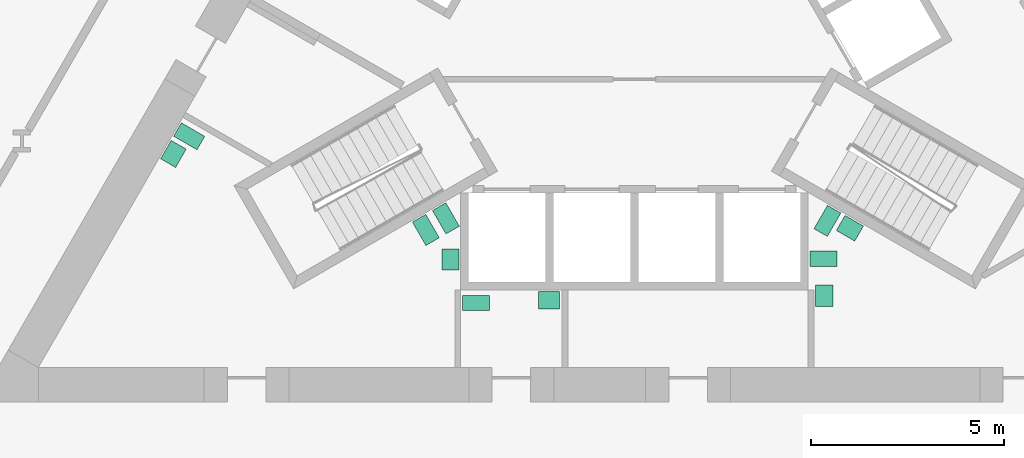
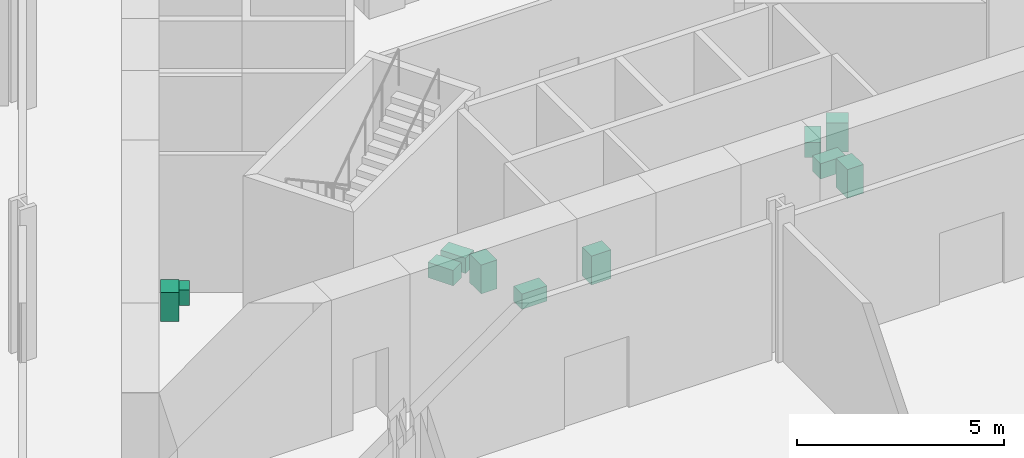
# One storey, part 8 of 8: 11 sanitary terminals.
"""IFC4 building model written with IfcOpenShell, lengths in metres."""

from ifc_helpers import new_model, si_unit, direction, frame, origin, origin_2d, place, context, subcontext, project, spatial, rectangle, extrude, material, type_object, element, save


model = new_model("IFC4")

# Units and contexts
model_context = context("Model", 3, precision=1e-05, world=origin(), true_north=direction((0.0, 1.0)))
body_context = subcontext(model_context, "Body", "Model", "MODEL_VIEW")
ifc_project = project(units=[si_unit("LENGTHUNIT", "METRE"), si_unit("AREAUNIT", "SQUARE_METRE"), si_unit("VOLUMEUNIT", "CUBIC_METRE"), si_unit("PLANEANGLEUNIT", "RADIAN"), si_unit("MASSUNIT", "GRAM", prefix="KILO")], contexts=[model_context])

# Site, building, storey
site_placement = place(None, origin())
site = spatial("IfcSite", under=ifc_project, at=site_placement, CompositionType="ELEMENT")
building_placement = place(site_placement, origin())
building = spatial("IfcBuilding", under=site, at=building_placement, Name="Cormorant Prow Tower", CompositionType="ELEMENT")
storey_placement = place(building_placement, frame((0.0, 0.0, 21.0)))
storey = spatial("IfcBuildingStorey", under=building, at=storey_placement, Name="L03", CompositionType="ELEMENT", Elevation=21.0)

# Sanitary terminals
ifc_material_1 = material(Name="Vitreous china")
sanitary_terminal_type_1 = type_object("IfcSanitaryTerminalType", Name="Wash basin 550x450", PredefinedType="WASHHANDBASIN", material=ifc_material_1)
for number, where, z_axis, x_axis, name in (
    (1, (-4.764892578125, -6.115966796875, 0.0), (0.0, 0.0, 1.0), (0.0, 1.0, 0.0), "Wash basin"),
    (2, (-11.9423828125, -3.384765625, 0.0), (0.0, 0.0, 1.0), (-0.5, -0.866025403784, 0.0), "Wash basin"),
    (3, (5.579345703125, -5.31005859375, 0.0), (0.0, 0.0, 1.0), (-0.866016677006, 0.500015114919, 0.0), "Wash basin"),
    (4, (4.9150390625, -7.055908203125, 0.0), (0.0, 0.0, 1.0), (0.0, -1.0, 0.0), "Wash basin"),
    (5, (-2.215087890625, -7.1708984375, 0.0), (0.0, 0.0, 1.0), (-1.0, 0.0, 0.0), "Wash basin"),
):
    element("IfcSanitaryTerminal", number, at=place(storey_placement, frame(where, z_axis=z_axis, x_axis=x_axis)), inside=storey, type_object=sanitary_terminal_type_1, Name=name, PredefinedType="WASHHANDBASIN", context=body_context, shape_type="SweptSolid", body=[
        extrude(rectangle(XDim=0.550048828125, YDim=0.449951171875, at=origin_2d()), origin(), (0.0, 0.0, 1.0), 0.85009765625),
    ])
ifc_material_2 = material(Name="Vitreous china")
sanitary_terminal_type_2 = type_object("IfcSanitaryTerminalType", Name="Water closet 400x700", PredefinedType="WCSEAT", material=ifc_material_2)
for number, where, z_axis, x_axis, name in (
    (6, (-4.884521484375, -5.05322265625, 0.0), (0.0, 0.0, 1.0), (-0.866016677006, -0.500015114919, 0.0), "Water closet"),
    (7, (-11.533935546875, -2.927490234375, 0.0), (0.0, 0.0, 1.0), (-0.5, -0.866025403784, 0.0), "Water closet"),
    (8, (-5.404296875, -5.353271484375, 0.0), (0.0, 0.0, 1.0), (-0.866016677006, -0.500015114919, 0.0), "Water closet"),
    (9, (4.997314453125, -5.118408203125, 0.0), (0.0, 0.0, 1.0), (-0.866016677006, 0.500015114919, 0.0), "Water closet"),
    (10, (4.889892578125, -6.10009765625, 0.0), (0.0, 0.0, 1.0), (0.0, -1.0, 0.0), "Water closet"),
    (11, (-4.110107421875, -7.24609375, 0.0), (0.0, 0.0, 1.0), (0.0, -1.0, 0.0), "Water closet"),
):
    element("IfcSanitaryTerminal", number, at=place(storey_placement, frame(where, z_axis=z_axis, x_axis=x_axis)), inside=storey, type_object=sanitary_terminal_type_2, Name=name, PredefinedType="WCSEAT", context=body_context, shape_type="SweptSolid", body=[
        extrude(rectangle(XDim=0.39990234375, YDim=0.699951171875, at=origin_2d()), origin(), (0.0, 0.0, 1.0), 0.449951171875),
    ])

save(model, "model.ifc")
